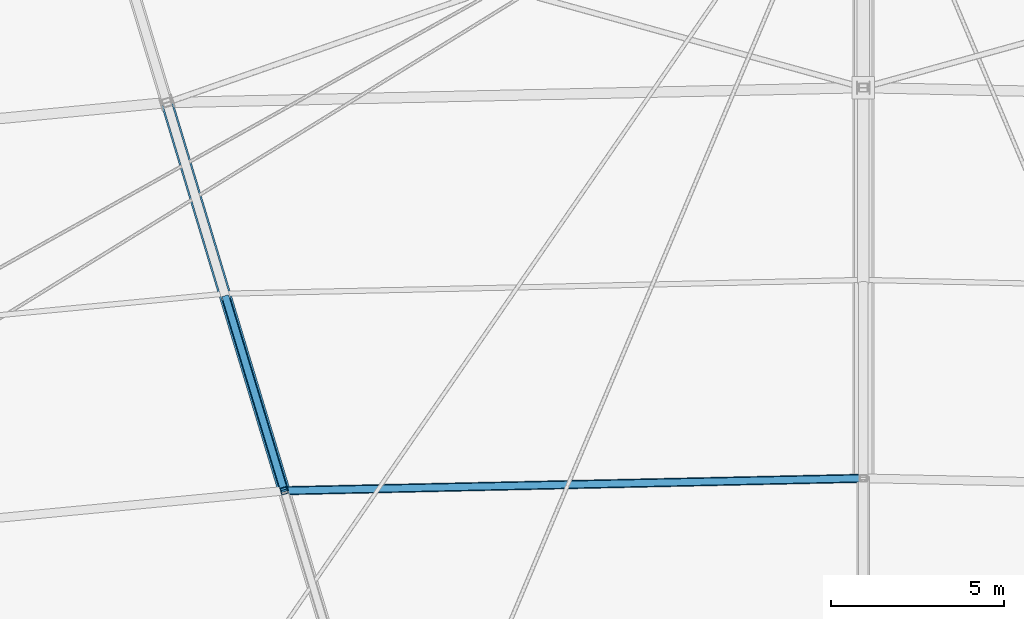
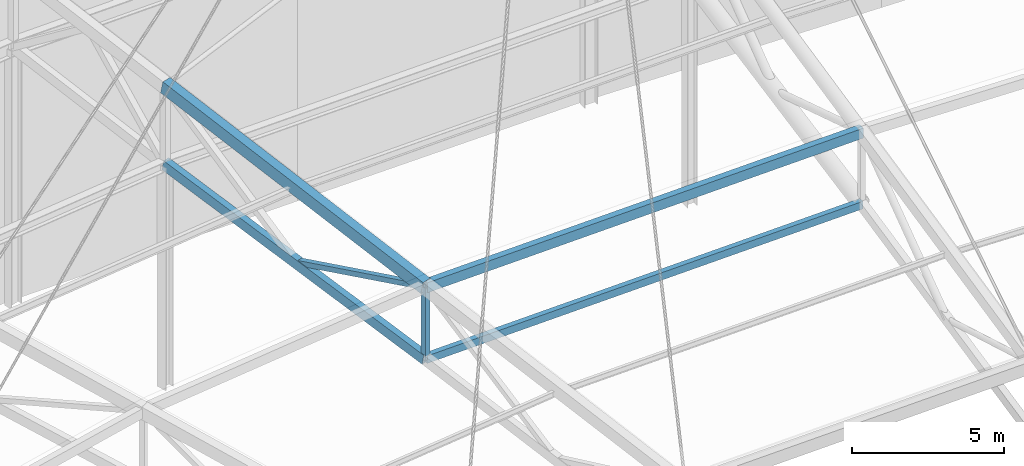
# One storey, part 91 of 143: 3 beams, 3 members.
"""IFC4 building model written with IfcOpenShell, lengths in metres."""

import ifcopenshell
import ifcopenshell.guid

model = None  # the IFC model being written
_history = None  # IfcOwnerHistory: only IFC2X3 demands one
_inside = {}  # id of a spatial element -> (the spatial element, [elements in it])
_under = {}  # id of a project, library or spatial element -> (it, [spatial elements below it])
_declared = {}  # id of a project -> (the project, [libraries it declares])
_typed = {}  # id of a type object -> (the type object, [elements of that type])
_made_of = {}  # id of a material, layer set ... -> (it, [elements and type objects made of it])


def new_model(schema):
    """Start an empty IFC model of exactly this schema.

    Asked for "IFC4X3", IfcOpenShell would pick the latest addendum, in which some entities
    have other attributes; the version numbers below select the first issue.
    IFC2X3 requires an IfcOwnerHistory on every rooted entity: one is made here for all.
    """
    global model, _history
    if schema == "IFC4X3":
        model = ifcopenshell.file(schema_version=(4, 3, 0, 0))
    else:
        model = ifcopenshell.file(schema=schema)
    _inside.clear()
    _under.clear()
    _declared.clear()
    _typed.clear()
    _made_of.clear()
    _history = None
    if model.schema == "IFC2X3":
        org = make("IfcOrganization", Name="unknown")
        user = make(
            "IfcPersonAndOrganization",
            ThePerson=make("IfcPerson", FamilyName="unknown"),
            TheOrganization=org,
        )
        app = make(
            "IfcApplication",
            ApplicationDeveloper=org,
            Version="unknown",
            ApplicationFullName="unknown",
            ApplicationIdentifier="unknown",
        )
        _history = make(
            "IfcOwnerHistory",
            OwningUser=user,
            OwningApplication=app,
            ChangeAction="ADDED",
            CreationDate=0,
        )
    return model


def make(cls, **values):
    """One entity of the class cls with the attributes given. An attribute that is None is left unset."""
    return model.create_entity(
        cls, **{name: value for name, value in values.items() if value is not None}
    )


def rooted(cls, **values):
    """An entity with a GlobalId (a new one), such as an element, a storey or a relation."""
    return make(cls, GlobalId=ifcopenshell.guid.new(), OwnerHistory=_history, **values)


def si_unit(unit_type, name, prefix=None):
    """IfcSIUnit, for example si_unit("LENGTHUNIT", "METRE", prefix="MILLI")."""
    return make("IfcSIUnit", UnitType=unit_type, Prefix=prefix, Name=name)


def assignment(units):
    """IfcUnitAssignment: the units of a project."""
    return None if units is None else make("IfcUnitAssignment", Units=units)


def point(xyz):
    """IfcCartesianPoint."""
    return None if xyz is None else make("IfcCartesianPoint", Coordinates=xyz)


def direction(xyz):
    """IfcDirection."""
    return None if xyz is None else make("IfcDirection", DirectionRatios=xyz)


def frame(location, z_axis=None, x_axis=None):
    """IfcAxis2Placement3D, a coordinate frame: its origin and axes. An axis left out is left unset."""
    return make(
        "IfcAxis2Placement3D",
        Location=point(location),
        Axis=direction(z_axis),
        RefDirection=direction(x_axis),
    )


def frame_2d(location, x_axis=None):
    """IfcAxis2Placement2D, a coordinate frame in the plane: its origin and x axis."""
    return make(
        "IfcAxis2Placement2D", Location=point(location), RefDirection=direction(x_axis)
    )


def origin():
    """The frame at (0, 0, 0) with its axes left unset."""
    return frame((0.0, 0.0, 0.0))


def origin_2d():
    """The frame at (0, 0) in the plane with its x axis left unset."""
    return frame_2d((0.0, 0.0))


def place(relative_to, where):
    """IfcLocalPlacement: puts the frame where relative to a parent placement (None: the world)."""
    return make(
        "IfcLocalPlacement", PlacementRelTo=relative_to, RelativePlacement=where
    )


def context(
    kind, dimensions, precision=None, world=None, true_north=None, identifier=None
):
    """IfcGeometricRepresentationContext, for example the 3D "Model" context."""
    return make(
        "IfcGeometricRepresentationContext",
        ContextIdentifier=identifier,
        ContextType=kind,
        CoordinateSpaceDimension=dimensions,
        Precision=precision,
        WorldCoordinateSystem=world,
        TrueNorth=true_north,
    )


def subcontext(parent, identifier, kind, view, scale=None):
    """IfcGeometricRepresentationSubContext, for example "Body" below "Model"."""
    return make(
        "IfcGeometricRepresentationSubContext",
        ContextIdentifier=identifier,
        ContextType=kind,
        ParentContext=parent,
        TargetScale=scale,
        TargetView=view,
    )


def project(units=None, contexts=None):
    """IfcProject with its units and contexts."""
    return rooted(
        "IfcProject",
        Name="project",
        RepresentationContexts=contexts,
        UnitsInContext=assignment(units),
    )


def spatial(cls, under=None, at=None, **own):
    """A site, building, storey or space (cls), placed at a placement, below another one or the project."""
    s = rooted(cls, ObjectPlacement=at, **own)
    if under is not None:
        _under.setdefault(under.id(), (under, []))[1].append(s)
    return s


def profile(cls, at=None, kind="AREA", **sizes):
    """A parametric profile (cls). Its sizes go by their IFC names, for example OverallWidth=200.0."""
    return make(cls, ProfileType=kind, Position=at, **sizes)


def hollow_rectangle(**sizes):
    """IfcRectangleHollowProfileDef."""
    return profile("IfcRectangleHollowProfileDef", **sizes)


def extrude(swept, where, along, depth):
    """IfcExtrudedAreaSolid: the profile swept, set in the frame where, extruded along a direction by depth."""
    return make(
        "IfcExtrudedAreaSolid",
        SweptArea=swept,
        Position=where,
        ExtrudedDirection=direction(along),
        Depth=depth,
    )


def shape(context_of_items, identifier, shape_type, items):
    """IfcShapeRepresentation: the items that make up one representation, for example the "Body"."""
    return make(
        "IfcShapeRepresentation",
        ContextOfItems=context_of_items,
        RepresentationIdentifier=identifier,
        RepresentationType=shape_type,
        Items=items,
    )


def material(Name=None, Category=None):
    """IfcMaterial."""
    return make("IfcMaterial", Name=Name, Category=Category)


def material_profile(
    of_material, cross_section, Name=None, Category=None, Priority=None
):
    """IfcMaterialProfile: a cross section and its material."""
    return make(
        "IfcMaterialProfile",
        Name=Name,
        Material=of_material,
        Profile=cross_section,
        Priority=Priority,
        Category=Category,
    )


def profile_set(profiles, Name=None, composite=None):
    """IfcMaterialProfileSet."""
    return make(
        "IfcMaterialProfileSet",
        Name=Name,
        MaterialProfiles=profiles,
        CompositeProfile=composite,
    )


def made_of(thing, what):
    """Note that an element or type object is made of a material, layer set ...; save() writes the relation."""
    if what is not None:
        _made_of.setdefault(what.id(), (what, []))[1].append(thing)
    return thing


def type_object(cls, material=None, **own):
    """A type object (cls), such as IfcWallType, which elements share."""
    return made_of(rooted(cls, **own), material)


def element(
    cls,
    number,
    at=None,
    inside=None,
    cuts=None,
    type_object=None,
    material=None,
    context=None,
    identifier="Body",
    shape_type=None,
    held_by="IfcProductDefinitionShape",
    body=None,
    shapes=None,
    **own,
):
    """One element of the class cls, such as IfcWall. Its Tag is "e" and its number.

    at: its placement. inside: the storey or other place that contains it. cuts: it is an
    opening in that element (IfcRelVoidsElement). A single representation is given by context,
    identifier, shape_type and body (its items); several are given by shapes. held_by: the class
    of the entity that holds the representations. save() writes the other relations.
    """
    e = rooted(cls, Tag="e%d" % number, ObjectPlacement=at, **own)
    if body is not None:
        shapes = [shape(context, identifier, shape_type, body)]
    if shapes is not None:
        e.Representation = make(held_by, Representations=shapes)
    if inside is not None:
        _inside.setdefault(inside.id(), (inside, []))[1].append(e)
    if cuts is not None:
        rooted(
            "IfcRelVoidsElement", RelatingBuildingElement=cuts, RelatedOpeningElement=e
        )
    if type_object is not None:
        _typed.setdefault(type_object.id(), (type_object, []))[1].append(e)
    return made_of(e, material)


def aggregate(whole, parts):
    """IfcRelAggregates: a whole, such as a stair, and the parts it consists of."""
    return rooted("IfcRelAggregates", RelatingObject=whole, RelatedObjects=parts)


def save(model, path):
    """Write the relations noted so far, then the file.

    IfcRelAggregates (storeys below a building ...), IfcRelContainedInSpatialStructure (elements
    in a storey), IfcRelDefinesByType, IfcRelAssociatesMaterial and IfcRelDeclares: one each for
    every whole, place, type object, material and project.
    """
    for whole, parts in _under.values():
        aggregate(whole, parts)
    for where, things in _inside.values():
        rooted(
            "IfcRelContainedInSpatialStructure",
            RelatedElements=things,
            RelatingStructure=where,
        )
    for kind, things in _typed.values():
        rooted("IfcRelDefinesByType", RelatedObjects=things, RelatingType=kind)
    for what, things in _made_of.values():
        rooted("IfcRelAssociatesMaterial", RelatedObjects=things, RelatingMaterial=what)
    for by, libraries in _declared.values():
        rooted("IfcRelDeclares", RelatingContext=by, RelatedDefinitions=libraries)
    model.write(path)


model = new_model("IFC4")

# Units and contexts
model_context = context("Model", 3, precision=1e-05, world=origin(), true_north=direction((0.0, 1.0)))
body_context = subcontext(model_context, "Body", "Model", "MODEL_VIEW")
ifc_project = project(units=[si_unit("LENGTHUNIT", "METRE"), si_unit("AREAUNIT", "SQUARE_METRE"), si_unit("VOLUMEUNIT", "CUBIC_METRE"), si_unit("PLANEANGLEUNIT", "RADIAN"), si_unit("MASSUNIT", "GRAM", prefix="KILO")], contexts=[model_context])

# Site, building, storey
site_placement = place(None, origin())
site = spatial("IfcSite", under=ifc_project, at=site_placement, CompositionType="ELEMENT")
building_placement = place(site_placement, origin())
building = spatial("IfcBuilding", under=site, at=building_placement, Name="Mphavela Belvedere Stadium", CompositionType="ELEMENT")
storey_placement = place(building_placement, frame((0.0, 0.0, 28.800048828125)))
storey = spatial("IfcBuildingStorey", under=building, at=storey_placement, Name="RF", CompositionType="ELEMENT", Elevation=28.800048828125)

# Beams
ifc_material_1 = material(Name="Steel S355", Category="steel")
ifc_material_profile_1 = material_profile(ifc_material_1, hollow_rectangle(XDim=0.25, YDim=0.39990234375, WallThickness=0.01611328125, at=origin_2d()), Name="RHS 400x250x16")
ifc_profile_set_1 = profile_set([ifc_material_profile_1], Name="Steel S355")
beam_type_1 = type_object("IfcBeamType", Name="BM-RING-MID", PredefinedType="BEAM", material=ifc_profile_set_1)
beam_1_placement = place(storey_placement, frame((115.0, 142.773681640625, 9.758056640625), z_axis=(-0.999741146043, -0.021517679857, -0.007391235561), x_axis=(0.02151826764, -0.999768455272, 0.0)))
element("IfcBeam", 1, at=beam_1_placement, inside=storey, type_object=beam_type_1, Name="Intermediate roof ring beam RB-MID-13", PredefinedType="BEAM", context=body_context, shape_type="SweptSolid", body=[
    extrude(hollow_rectangle(XDim=0.25, YDim=0.39990234375, WallThickness=0.01611328125, at=origin_2d()), origin(), (0.0, 0.0, 1.0), 16.746826171875),
])
ifc_material_2 = material(Name="Steel S355", Category="steel")
ifc_material_profile_2 = material_profile(ifc_material_2, hollow_rectangle(XDim=0.25, YDim=0.39990234375, WallThickness=0.01611328125, at=origin_2d()), Name="RHS 400x250x16")
ifc_profile_set_2 = profile_set([ifc_material_profile_2], Name="Steel S355")
beam_type_2 = type_object("IfcBeamType", Name="BM-TRUSS-BC2", PredefinedType="BEAM", material=ifc_profile_set_2)
beam_2_placement = place(storey_placement, frame((94.8671875, 153.634033203125, 8.922119140625), z_axis=(0.284329201853, -0.941007425446, -0.183471878578), x_axis=(0.957256900703, 0.289239046564, 0.0)))
element("IfcBeam", 2, at=beam_2_placement, inside=storey, type_object=beam_type_2, Name="Radial roof truss RT-14 bottom chord 2", PredefinedType="BEAM", context=body_context, shape_type="SweptSolid", body=[
    extrude(hollow_rectangle(XDim=0.25, YDim=0.39990234375, WallThickness=0.01611328125, at=origin_2d()), origin(), (0.0, 0.0, 1.0), 11.924072265625),
])
ifc_material_3 = material(Name="Steel S355", Category="steel")
ifc_material_profile_3 = material_profile(ifc_material_3, hollow_rectangle(XDim=0.35009765625, YDim=0.5, WallThickness=0.02001953125, at=origin_2d()), Name="RHS 500x350x20")
ifc_profile_set_3 = profile_set([ifc_material_profile_3], Name="Steel S355")
beam_type_3 = type_object("IfcBeamType", Name="BM-TRUSS-TC2", PredefinedType="BEAM", material=ifc_profile_set_3)
beam_3_placement = place(storey_placement, frame((94.8671875, 153.634033203125, 12.072265625), z_axis=(0.283178825556, -0.937200174447, -0.203631003961), x_axis=(0.957256900703, 0.289239046564, 0.0)))
element("IfcBeam", 3, at=beam_3_placement, inside=storey, type_object=beam_type_3, Name="Radial roof truss RT-14 top chord 2", PredefinedType="BEAM", context=body_context, shape_type="SweptSolid", body=[
    extrude(hollow_rectangle(XDim=0.35009765625, YDim=0.5, WallThickness=0.02001953125, at=origin_2d()), origin(), (0.0, 0.0, 1.0), 11.97265625),
])

# Members
ifc_material_4 = material(Name="Steel S355", Category="steel")
ifc_material_profile_4 = material_profile(ifc_material_4, hollow_rectangle(XDim=0.199951171875, YDim=0.199951171875, WallThickness=0.010009765625, at=origin_2d()), Name="SHS 200x200x10")
ifc_profile_set_4 = profile_set([ifc_material_profile_4], Name="Steel S355")
member_type_1 = type_object("IfcMemberType", Name="MEM-POST-SHS200", PredefinedType="POST", material=ifc_profile_set_4)
member_1_placement = place(storey_placement, frame((98.257568359375, 142.413330078125, 6.734375), z_axis=(0.0, 0.0, 1.0), x_axis=(-0.289198876314, 0.957269037387, 0.0)))
element("IfcMember", 4, at=member_1_placement, inside=storey, type_object=member_type_1, Name="Radial roof truss RT-14 post P3", PredefinedType="POST", context=body_context, shape_type="SweptSolid", body=[
    extrude(hollow_rectangle(XDim=0.199951171875, YDim=0.199951171875, WallThickness=0.010009765625, at=origin_2d()), origin(), (0.0, 0.0, 1.0), 2.89990234375),
])
member_2_placement = place(storey_placement, frame((96.5625, 148.023681640625, 7.828369140625), z_axis=(0.276396190339, -0.91481844361, 0.294469626953), x_axis=(0.957262667334, 0.289219960805, 0.0)))
element("IfcMember", 5, at=member_2_placement, inside=storey, type_object=member_type_1, Name="Radial roof truss RT-14 web diagonal D4", PredefinedType="POST", context=body_context, shape_type="SweptSolid", body=[
    extrude(hollow_rectangle(XDim=0.199951171875, YDim=0.199951171875, WallThickness=0.010009765625, at=origin_2d()), origin(), (0.0, 0.0, 1.0), 6.1328125),
])
ifc_material_5 = material(Name="Steel S355", Category="steel")
ifc_material_profile_5 = material_profile(ifc_material_5, hollow_rectangle(XDim=0.199951171875, YDim=0.300048828125, WallThickness=0.011962890625, at=origin_2d()), Name="RHS 300x200x12")
ifc_profile_set_5 = profile_set([ifc_material_profile_5], Name="Steel S355")
member_type_2 = type_object("IfcMemberType", Name="MEM-SEC-CHORD", PredefinedType="CHORD", material=ifc_profile_set_5)
member_3_placement = place(storey_placement, frame((115.0, 142.773681640625, 6.858154296875), z_axis=(-0.999741146043, -0.021517679857, -0.007391235561), x_axis=(0.02151826764, -0.999768455272, 0.0)))
element("IfcMember", 6, at=member_3_placement, inside=storey, type_object=member_type_2, Name="Secondary bottom roof tie chord 13", PredefinedType="CHORD", context=body_context, shape_type="SweptSolid", body=[
    extrude(hollow_rectangle(XDim=0.199951171875, YDim=0.300048828125, WallThickness=0.011962890625, at=origin_2d()), origin(), (0.0, 0.0, 1.0), 16.746826171875),
])

save(model, "model.ifc")
